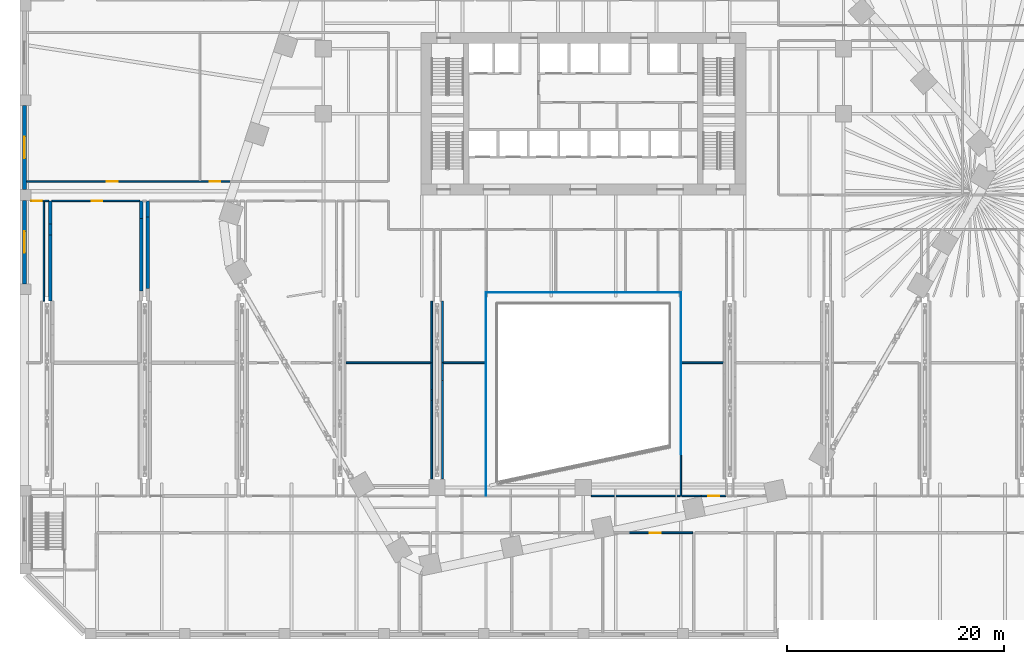
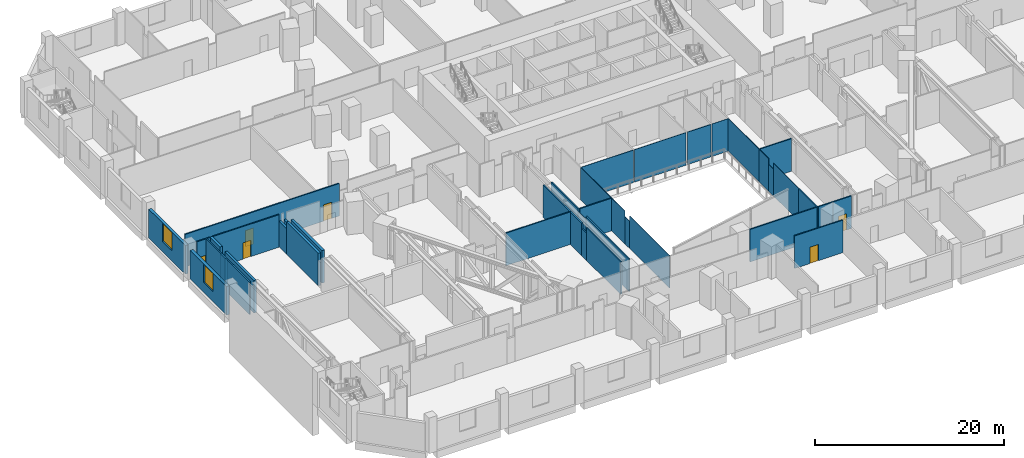
# One storey, part 15 of 32: 41 walls, 6 doors, 2 windows, 8 openings.
"""IFC4 building model written with IfcOpenShell, lengths in metres."""

from ifc_helpers import new_model, si_unit, direction, frame, frame_2d, origin, place, context, subcontext, project, spatial, rectangle, extrude, material, layer, layer_set, type_object, element, fill, save


model = new_model("IFC4")

# Units and contexts
model_context = context("Model", 3, precision=1e-05, world=origin(), true_north=direction((0.0, 1.0)))
body_context = subcontext(model_context, "Body", "Model", "MODEL_VIEW")
ifc_project = project(units=[si_unit("LENGTHUNIT", "METRE"), si_unit("AREAUNIT", "SQUARE_METRE"), si_unit("VOLUMEUNIT", "CUBIC_METRE"), si_unit("PLANEANGLEUNIT", "RADIAN"), si_unit("MASSUNIT", "GRAM", prefix="KILO")], contexts=[model_context])

# Site, building, storey
site_placement = place(None, origin())
site = spatial("IfcSite", under=ifc_project, at=site_placement, CompositionType="ELEMENT")
building_placement = place(site_placement, origin())
building = spatial("IfcBuilding", under=site, at=building_placement, Name="Isthmus Gate Tower", CompositionType="ELEMENT")
storey_placement = place(building_placement, frame((0.0, 0.0, 18.0)))
storey = spatial("IfcBuildingStorey", under=building, at=storey_placement, Name="L02", CompositionType="ELEMENT", Elevation=18.0)

# Walls
ifc_material_1 = material(Name="Double-leaf gypsum board with mineral wool, resilient mounted")
ifc_layer_1 = layer(ifc_material_1, 0.300048828125)
ifc_layer_set_1 = layer_set([ifc_layer_1], Name="Acoustic studio wall 300 double leaf")
wall_type_1 = type_object("IfcWallType", Name="Acoustic studio wall 300 double leaf", PredefinedType="PARTITIONING", material=ifc_layer_set_1)
wall_1_placement = place(storey_placement, frame((-49.199951171875, -9.800048828125, 0.0), z_axis=(0.0, 0.0, 1.0), x_axis=(0.0, 1.0, 0.0)))
element("IfcWall", 1, at=wall_1_placement, inside=storey, type_object=wall_type_1, Name="Acoustic studio wall", PredefinedType="PARTITIONING", context=body_context, shape_type="SweptSolid", body=[
    extrude(rectangle(XDim=6.1201171875, YDim=0.300048828125, at=frame_2d((3.06005859375, 0.0))), origin(), (0.0, 0.0, 1.0), 4.199951171875),
])
wall_2_placement = place(storey_placement, frame((-49.199951171875, -3.679931640625, 0.0), z_axis=(0.0, 0.0, 1.0), x_axis=(0.0, 1.0, 0.0)))
element("IfcWall", 2, at=wall_2_placement, inside=storey, type_object=wall_type_1, Name="Acoustic studio wall", PredefinedType="PARTITIONING", context=body_context, shape_type="SweptSolid", body=[
    extrude(rectangle(XDim=1.0, YDim=0.300048828125, at=frame_2d((0.5, 0.0))), origin(), (0.0, 0.0, 1.0), 3.29833984375),
])
wall_3_placement = place(storey_placement, frame((-49.199951171875, -2.679931640625, 0.0), z_axis=(0.0, 0.0, 1.0), x_axis=(0.0, 1.0, 0.0)))
element("IfcWall", 3, at=wall_3_placement, inside=storey, type_object=wall_type_1, Name="Acoustic studio wall", PredefinedType="PARTITIONING", context=body_context, shape_type="SweptSolid", body=[
    extrude(rectangle(XDim=2.130126953125, YDim=0.300048828125, at=frame_2d((1.06494140625, 0.0))), origin(), (0.0, 0.0, 1.0), 4.199951171875),
])
wall_4_placement = place(storey_placement, frame((-40.800048828125, -8.85498046875, 0.0), z_axis=(0.0, 0.0, 1.0), x_axis=(0.0, 1.0, 0.0)))
element("IfcWall", 4, at=wall_4_placement, inside=storey, type_object=wall_type_1, Name="Acoustic studio wall", PredefinedType="PARTITIONING", context=body_context, shape_type="SweptSolid", body=[
    extrude(rectangle(XDim=6.699462890625, YDim=0.300048828125, at=frame_2d((3.349609375, 0.0))), origin(), (0.0, 0.0, 1.0), 4.199951171875),
])
wall_5_placement = place(storey_placement, frame((-40.800048828125, -2.155517578125, 0.0), z_axis=(0.0, 0.0, 1.0), x_axis=(0.0, 1.0, 0.0)))
element("IfcWall", 5, at=wall_5_placement, inside=storey, type_object=wall_type_1, Name="Acoustic studio wall", PredefinedType="PARTITIONING", context=body_context, shape_type="SweptSolid", body=[
    extrude(rectangle(XDim=1.605712890625, YDim=0.300048828125, at=frame_2d((0.802734375, 0.0))), origin(), (0.0, 0.0, 1.0), 3.29833984375),
])
wall_6_placement = place(storey_placement, frame((-40.199951171875, -8.6298828125, 0.0), z_axis=(0.0, 0.0, 1.0), x_axis=(0.0, 1.0, 0.0)))
element("IfcWall", 6, at=wall_6_placement, inside=storey, type_object=wall_type_1, Name="Acoustic studio wall", PredefinedType="PARTITIONING", context=body_context, shape_type="SweptSolid", body=[
    extrude(rectangle(XDim=6.583251953125, YDim=0.300048828125, at=frame_2d((3.29150390625, 0.0))), origin(), (0.0, 0.0, 1.0), 4.199951171875),
])
wall_7_placement = place(storey_placement, frame((-40.199951171875, -2.046630859375, 0.0), z_axis=(0.0, 0.0, 1.0), x_axis=(0.0, 1.0, 0.0)))
element("IfcWall", 7, at=wall_7_placement, inside=storey, type_object=wall_type_1, Name="Acoustic studio wall", PredefinedType="PARTITIONING", context=body_context, shape_type="SweptSolid", body=[
    extrude(rectangle(XDim=1.496826171875, YDim=0.300048828125, at=frame_2d((0.74853515625, 0.0))), origin(), (0.0, 0.0, 1.0), 3.29833984375),
])
ifc_material_2 = material(Name="Fire-rated laminated glass in steel frame", Category="steel")
ifc_layer_2 = layer(ifc_material_2, 0.06005859375)
ifc_layer_set_2 = layer_set([ifc_layer_2], Name="Fire-rated glazed atrium screen 60")
wall_type_2 = type_object("IfcWallType", Name="Fire-rated glazed atrium screen 60", PredefinedType="PARTITIONING", material=ifc_layer_set_2)
for number, where, z_axis, x_axis, name in (
    (8, (-8.925048828125, -9.0, 0.0), (0.0, 0.0, 1.0), (1.0, 0.0, 0.0), "Atrium screen"),
    (9, (-2.47509765625, -9.0, 0.0), (0.0, 0.0, 1.0), (1.0, 0.0, 0.0), "Atrium screen"),
):
    element("IfcWall", number, at=place(storey_placement, frame(where, z_axis=z_axis, x_axis=x_axis)), inside=storey, type_object=wall_type_2, Name=name, PredefinedType="PARTITIONING", context=body_context, shape_type="SweptSolid", body=[
        extrude(rectangle(XDim=6.300048828125, YDim=0.06005859375, at=frame_2d((3.14990234375, 0.0))), origin(), (0.0, 0.0, 1.0), 4.199951171875),
    ])
wall_8_placement = place(storey_placement, frame((3.97509765625, -9.0, 0.0), z_axis=(0.0, 0.0, 1.0), x_axis=(1.0, 0.0, 0.0)))
element("IfcWall", 10, at=wall_8_placement, inside=storey, type_object=wall_type_2, Name="Atrium screen", PredefinedType="PARTITIONING", context=body_context, shape_type="SweptSolid", body=[
    extrude(rectangle(XDim=2.849853515625, YDim=0.06005859375, at=frame_2d((1.4248046875, 0.0))), origin(), (0.0, 0.0, 1.0), 4.199951171875),
])
wall_9_placement = place(storey_placement, frame((6.97509765625, -9.0, 0.0), z_axis=(0.0, 0.0, 1.0), x_axis=(1.0, 0.0, 0.0)))
element("IfcWall", 11, at=wall_9_placement, inside=storey, type_object=wall_type_2, Name="Atrium screen", PredefinedType="PARTITIONING", context=body_context, shape_type="SweptSolid", body=[
    extrude(rectangle(XDim=1.949951171875, YDim=0.06005859375, at=frame_2d((0.97509765625, 0.0))), origin(), (0.0, 0.0, 1.0), 4.199951171875),
])
wall_10_placement = place(storey_placement, frame((-9.0, -27.778076171875, 0.0), z_axis=(0.0, 0.0, 1.0), x_axis=(0.0, 1.0, 0.0)))
element("IfcWall", 12, at=wall_10_placement, inside=storey, type_object=wall_type_2, Name="Atrium screen", PredefinedType="PARTITIONING", context=body_context, shape_type="SweptSolid", body=[
    extrude(rectangle(XDim=8.440673828125, YDim=0.06005859375, at=frame_2d((4.22021484375, 0.0))), origin(), (0.0, 0.0, 1.0), 4.199951171875),
])
wall_11_placement = place(storey_placement, frame((-9.0, -19.33740234375, 0.0), z_axis=(0.0, 0.0, 1.0), x_axis=(0.0, 1.0, 0.0)))
element("IfcWall", 13, at=wall_11_placement, inside=storey, type_object=wall_type_2, Name="Atrium screen", PredefinedType="PARTITIONING", context=body_context, shape_type="SweptSolid", body=[
    extrude(rectangle(XDim=1.01611328125, YDim=0.06005859375, at=frame_2d((0.508056640625, 0.0))), origin(), (0.0, 0.0, 1.0), 3.5205078125),
])
wall_12_placement = place(storey_placement, frame((-9.0, -18.3212890625, 0.0), z_axis=(0.0, 0.0, 1.0), x_axis=(0.0, 1.0, 0.0)))
element("IfcWall", 14, at=wall_12_placement, inside=storey, type_object=wall_type_2, Name="Atrium screen", PredefinedType="PARTITIONING", context=body_context, shape_type="SweptSolid", body=[
    extrude(rectangle(XDim=2.830810546875, YDim=0.06005859375, at=frame_2d((1.41552734375, 0.0))), origin(), (0.0, 0.0, 1.0), 4.199951171875),
])
wall_13_placement = place(storey_placement, frame((-9.0, -15.488525390625, 0.0), z_axis=(0.0, 0.0, 1.0), x_axis=(0.0, 1.0, 0.0)))
element("IfcWall", 15, at=wall_13_placement, inside=storey, type_object=wall_type_2, Name="Atrium screen", PredefinedType="PARTITIONING", context=body_context, shape_type="SweptSolid", body=[
    extrude(rectangle(XDim=6.487548828125, YDim=0.06005859375, at=frame_2d((3.24365234375, 0.0))), origin(), (0.0, 0.0, 1.0), 4.199951171875),
])
wall_14_placement = place(storey_placement, frame((9.0, -23.952880859375, 0.0), z_axis=(0.0, 0.0, 1.0), x_axis=(0.0, 1.0, 0.0)))
element("IfcWall", 16, at=wall_14_placement, inside=storey, type_object=wall_type_2, Name="Atrium screen", PredefinedType="PARTITIONING", context=body_context, shape_type="SweptSolid", body=[
    extrude(rectangle(XDim=5.427978515625, YDim=0.06005859375, at=frame_2d((2.7138671875, 0.0))), origin(), (0.0, 0.0, 1.0), 4.199951171875),
])
wall_15_placement = place(storey_placement, frame((9.0, -18.52490234375, 0.0), z_axis=(0.0, 0.0, 1.0), x_axis=(0.0, 1.0, 0.0)))
element("IfcWall", 17, at=wall_15_placement, inside=storey, type_object=wall_type_2, Name="Atrium screen", PredefinedType="PARTITIONING", context=body_context, shape_type="SweptSolid", body=[
    extrude(rectangle(XDim=1.0, YDim=0.06005859375, at=frame_2d((0.5, 0.0))), origin(), (0.0, 0.0, 1.0), 3.45068359375),
])
wall_16_placement = place(storey_placement, frame((9.0, -17.52490234375, 0.0), z_axis=(0.0, 0.0, 1.0), x_axis=(0.0, 1.0, 0.0)))
element("IfcWall", 18, at=wall_16_placement, inside=storey, type_object=wall_type_2, Name="Atrium screen", PredefinedType="PARTITIONING", context=body_context, shape_type="SweptSolid", body=[
    extrude(rectangle(XDim=2.034423828125, YDim=0.06005859375, at=frame_2d((1.01708984375, 0.0))), origin(), (0.0, 0.0, 1.0), 4.199951171875),
])
wall_17_placement = place(storey_placement, frame((9.0, -15.488525390625, 0.0), z_axis=(0.0, 0.0, 1.0), x_axis=(0.0, 1.0, 0.0)))
element("IfcWall", 19, at=wall_17_placement, inside=storey, type_object=wall_type_2, Name="Atrium screen", PredefinedType="PARTITIONING", context=body_context, shape_type="SweptSolid", body=[
    extrude(rectangle(XDim=6.487548828125, YDim=0.06005859375, at=frame_2d((3.24365234375, 0.0))), origin(), (0.0, 0.0, 1.0), 4.199951171875),
])

# Wall, opening, window
ifc_material_3 = material(Name="Precast concrete C40/50, limestone-faced", Category="masonry")
ifc_layer_3 = layer(ifc_material_3, 0.35009765625)
ifc_layer_set_3 = layer_set([ifc_layer_3], Name="PODIUM CLADDING WALL 350")
wall_type_3 = type_object("IfcWallType", Name="PODIUM CLADDING WALL 350", PredefinedType="SOLIDWALL", material=ifc_layer_set_3)
wall_18_placement = place(storey_placement, frame((-51.574951171875, 8.25, -0.39990234375), z_axis=(0.0, 0.0, 1.0), x_axis=(0.0, -1.0, 0.0)))
wall_18 = element("IfcWall", 20, at=wall_18_placement, inside=storey, type_object=wall_type_3, Name="PODIUM WALL", PredefinedType="SOLIDWALL", context=body_context, shape_type="SweptSolid", body=[
    extrude(rectangle(XDim=7.75, YDim=0.35009765625, at=frame_2d((3.875, 0.0))), origin(), (0.0, 0.0, 1.0), 3.699951171875),
])
opening_1_placement = place(wall_18_placement, frame((2.875, 0.0, 1.300048828125)))
opening_1 = element("IfcOpeningElement", 21, at=opening_1_placement, cuts=wall_18, Name="Opening W030", PredefinedType="OPENING", context=body_context, shape_type="SweptSolid", body=[
    extrude(rectangle(XDim=2.0, YDim=2.35009765625, at=frame_2d((1.0, 1.175048828125))), frame((0.0, 0.18505859375, 0.0), z_axis=(0.0, -1.0, 0.0), x_axis=(1.0, 0.0, 0.0)), (0.0, 0.0, 1.0), 0.3701171875),
])
ifc_material_4 = material(Name="Aluminium, pale champagne anodised, laminated glass", Category="aluminium")
window_type = type_object("IfcWindowType", Name="PODIUM SLOT WINDOW 2000 X 2350", PartitioningType="SINGLE_PANEL", PredefinedType="WINDOW", material=ifc_material_4)
window_1_placement = place(opening_1_placement, origin())
window_1 = element("IfcWindow", 22, at=window_1_placement, inside=storey, type_object=window_type, Name="SLOT WINDOW", OverallHeight=2.35009765625, OverallWidth=2.0, PartitioningType="SINGLE_PANEL", PredefinedType="WINDOW", context=body_context, shape_type="SweptSolid", body=[
    extrude(rectangle(XDim=2.0, YDim=2.35009765625, at=frame_2d((1.0, 1.175048828125))), frame((0.0, 0.030029296875, 0.0), z_axis=(0.0, -1.0, 0.0), x_axis=(1.0, 0.0, 0.0)), (0.0, 0.0, 1.0), 0.06005859375),
])
fill(opening_1, window_1)

wall_19_placement = place(storey_placement, frame((-51.574951171875, -0.5, -0.39990234375), z_axis=(0.0, 0.0, 1.0), x_axis=(0.0, -1.0, 0.0)))
wall_19 = element("IfcWall", 23, at=wall_19_placement, inside=storey, type_object=wall_type_3, Name="PODIUM WALL", PredefinedType="SOLIDWALL", context=body_context, shape_type="SweptSolid", body=[
    extrude(rectangle(XDim=7.699951171875, YDim=0.35009765625, at=frame_2d((3.85009765625, 0.0))), origin(), (0.0, 0.0, 1.0), 3.699951171875),
])
opening_2_placement = place(wall_19_placement, frame((2.85009765625, 0.0, 1.300048828125)))
opening_2 = element("IfcOpeningElement", 24, at=opening_2_placement, cuts=wall_19, Name="Opening W031", PredefinedType="OPENING", context=body_context, shape_type="SweptSolid", body=[
    extrude(rectangle(XDim=2.0, YDim=2.35009765625, at=frame_2d((1.0, 1.175048828125))), frame((0.0, 0.18505859375, 0.0), z_axis=(0.0, -1.0, 0.0), x_axis=(1.0, 0.0, 0.0)), (0.0, 0.0, 1.0), 0.3701171875),
])
window_2_placement = place(opening_2_placement, origin())
window_2 = element("IfcWindow", 25, at=window_2_placement, inside=storey, type_object=window_type, Name="SLOT WINDOW", OverallHeight=2.35009765625, OverallWidth=2.0, PartitioningType="SINGLE_PANEL", PredefinedType="WINDOW", context=body_context, shape_type="SweptSolid", body=[
    extrude(rectangle(XDim=2.0, YDim=2.35009765625, at=frame_2d((1.0, 1.175048828125))), frame((0.0, 0.030029296875, 0.0), z_axis=(0.0, -1.0, 0.0), x_axis=(1.0, 0.0, 0.0)), (0.0, 0.0, 1.0), 0.06005859375),
])
fill(opening_2, window_2)

# Wall, opening, door
ifc_material_5 = material(Name="Gypsum board on cold-formed steel studs", Category="steel")
ifc_layer_4 = layer(ifc_material_5, 0.14990234375)
ifc_layer_set_4 = layer_set([ifc_layer_4])
wall_type_4 = type_object("IfcWallType", Name="Partition 150 gypsum board on steel studs", PredefinedType="PARTITIONING", material=ifc_layer_set_4)
wall_20_placement = place(storey_placement, frame((4.22314453125, -31.178955078125, 0.0), z_axis=(0.0, 0.0, 1.0), x_axis=(1.0, 0.0, 0.0)))
wall_20 = element("IfcWall", 26, at=wall_20_placement, inside=storey, type_object=wall_type_4, Name="Partition", PredefinedType="PARTITIONING", context=body_context, shape_type="SweptSolid", body=[
    extrude(rectangle(XDim=5.868896484375, YDim=0.14990234375, at=frame_2d((2.9345703125, 0.0))), origin(), (0.0, 0.0, 1.0), 4.199951171875),
])
opening_3_placement = place(wall_20_placement, frame((1.89990234375, 0.0, 0.0)))
opening_3 = element("IfcOpeningElement", 27, at=opening_3_placement, cuts=wall_20, Name="Opening DP02-55", PredefinedType="OPENING", context=body_context, shape_type="SweptSolid", body=[
    extrude(rectangle(XDim=1.0, YDim=2.10009765625, at=frame_2d((0.5, 1.050048828125))), frame((0.0, 0.0849609375, 0.0), z_axis=(0.0, -1.0, 0.0), x_axis=(1.0, 0.0, 0.0)), (0.0, 0.0, 1.0), 0.169921875),
])
ifc_material_6 = material(Name="Hollow metal frame with solid-core timber leaf", Category="wood")
door_type = type_object("IfcDoorType", Name="Single swing door 1000 x 2100", OperationType="SINGLE_SWING_LEFT", PredefinedType="DOOR", material=ifc_material_6)
door_1_placement = place(opening_3_placement, origin())
door_1 = element("IfcDoor", 28, at=door_1_placement, inside=storey, type_object=door_type, Name="Door DP02-55", OperationType="SINGLE_SWING_LEFT", OverallHeight=2.10009765625, OverallWidth=1.0, PredefinedType="DOOR", context=body_context, shape_type="SweptSolid", body=[
    extrude(rectangle(XDim=1.0, YDim=2.10009765625, at=frame_2d((0.5, 1.050048828125))), frame((0.0, 0.02490234375, 0.0), z_axis=(0.0, -1.0, 0.0), x_axis=(1.0, 0.0, 0.0)), (0.0, 0.0, 1.0), 0.050048828125),
])
fill(opening_3, door_1)

# Walls
wall_21_placement = place(storey_placement, frame((0.75, -27.779052734375, 0.0), z_axis=(0.0, 0.0, 1.0), x_axis=(1.0, 0.0, 0.0)))
element("IfcWall", 29, at=wall_21_placement, inside=storey, type_object=wall_type_4, Name="Partition", PredefinedType="PARTITIONING", context=body_context, shape_type="SweptSolid", body=[
    extrude(rectangle(XDim=8.175048828125, YDim=0.14990234375, at=frame_2d((4.08740234375, 0.0))), origin(), (0.0, 0.0, 1.0), 4.199951171875),
])
wall_22_placement = place(storey_placement, frame((9.074951171875, -27.779052734375, 0.0), z_axis=(0.0, 0.0, 1.0), x_axis=(1.0, 0.0, 0.0)))
element("IfcWall", 30, at=wall_22_placement, inside=storey, type_object=wall_type_4, Name="Partition", PredefinedType="PARTITIONING", context=body_context, shape_type="SweptSolid", body=[
    extrude(rectangle(XDim=1.77294921875, YDim=0.14990234375, at=frame_2d((0.886474609375, 0.0))), origin(), (0.0, 0.0, 1.0), 4.199951171875),
])

# Wall, opening, door
wall_23_placement = place(storey_placement, frame((10.88720703125, -27.779052734375, 0.0), z_axis=(0.0, 0.0, 1.0), x_axis=(1.0, 0.0, 0.0)))
wall_23 = element("IfcWall", 31, at=wall_23_placement, inside=storey, type_object=wall_type_4, Name="Partition", PredefinedType="PARTITIONING", context=body_context, shape_type="SweptSolid", body=[
    extrude(rectangle(XDim=2.23779296875, YDim=0.14990234375, at=frame_2d((1.118896484375, 0.0))), origin(), (0.0, 0.0, 1.0), 4.199951171875),
])
opening_4_placement = place(wall_23_placement, frame((0.64990234375, 0.0, 0.0)))
opening_4 = element("IfcOpeningElement", 32, at=opening_4_placement, cuts=wall_23, Name="Opening DP02-31", PredefinedType="OPENING", context=body_context, shape_type="SweptSolid", body=[
    extrude(rectangle(XDim=1.0, YDim=2.10009765625, at=frame_2d((0.5, 1.050048828125))), frame((0.0, 0.0849609375, 0.0), z_axis=(0.0, -1.0, 0.0), x_axis=(1.0, 0.0, 0.0)), (0.0, 0.0, 1.0), 0.169921875),
])
door_2_placement = place(opening_4_placement, origin())
door_2 = element("IfcDoor", 33, at=door_2_placement, inside=storey, type_object=door_type, Name="Door DP02-31", OperationType="SINGLE_SWING_LEFT", OverallHeight=2.10009765625, OverallWidth=1.0, PredefinedType="DOOR", context=body_context, shape_type="SweptSolid", body=[
    extrude(rectangle(XDim=1.0, YDim=2.10009765625, at=frame_2d((0.5, 1.050048828125))), frame((0.0, 0.02490234375, 0.0), z_axis=(0.0, -1.0, 0.0), x_axis=(1.0, 0.0, 0.0)), (0.0, 0.0, 1.0), 0.050048828125),
])
fill(opening_4, door_2)

# Walls
wall_24_placement = place(storey_placement, frame((-21.925048828125, -15.489013671875, 0.0), z_axis=(0.0, 0.0, 1.0), x_axis=(1.0, 0.0, 0.0)))
element("IfcWall", 34, at=wall_24_placement, inside=storey, type_object=wall_type_4, Name="Partition", PredefinedType="PARTITIONING", context=body_context, shape_type="SweptSolid", body=[
    extrude(rectangle(XDim=7.85009765625, YDim=0.14990234375, at=frame_2d((3.925048828125, 0.0))), origin(), (0.0, 0.0, 1.0), 4.199951171875),
])
for number, where, z_axis, x_axis, name in (
    (35, (-12.925048828125, -15.489013671875, 0.0), (0.0, 0.0, 1.0), (1.0, 0.0, 0.0), "Partition"),
    (36, (9.030029296875, -15.489013671875, 0.0), (0.0, 0.0, 1.0), (1.0, 0.0, 0.0), "Partition"),
):
    element("IfcWall", number, at=place(storey_placement, frame(where, z_axis=z_axis, x_axis=x_axis)), inside=storey, type_object=wall_type_4, Name=name, PredefinedType="PARTITIONING", context=body_context, shape_type="SweptSolid", body=[
        extrude(rectangle(XDim=3.89501953125, YDim=0.14990234375, at=frame_2d((1.947509765625, 0.0))), origin(), (0.0, 0.0, 1.0), 4.199951171875),
    ])

# Wall, opening, door
wall_25_placement = place(storey_placement, frame((-51.0, -0.549072265625, 0.0), z_axis=(0.0, 0.0, 1.0), x_axis=(1.0, 0.0, 0.0)))
wall_25 = element("IfcWall", 37, at=wall_25_placement, inside=storey, type_object=wall_type_4, Name="Partition", PredefinedType="PARTITIONING", context=body_context, shape_type="SweptSolid", body=[
    extrude(rectangle(XDim=1.125, YDim=0.14990234375, at=frame_2d((0.5625, 0.0))), origin(), (0.0, 0.0, 1.0), 4.199951171875),
])
opening_5_placement = place(wall_25_placement, frame((0.06005859375, 0.0, 0.0)))
opening_5 = element("IfcOpeningElement", 38, at=opening_5_placement, cuts=wall_25, Name="Opening DP02-12", PredefinedType="OPENING", context=body_context, shape_type="SweptSolid", body=[
    extrude(rectangle(XDim=1.0, YDim=2.10009765625, at=frame_2d((0.5, 1.050048828125))), frame((0.0, 0.0849609375, 0.0), z_axis=(0.0, -1.0, 0.0), x_axis=(1.0, 0.0, 0.0)), (0.0, 0.0, 1.0), 0.169921875),
])
door_3_placement = place(opening_5_placement, origin())
door_3 = element("IfcDoor", 39, at=door_3_placement, inside=storey, type_object=door_type, Name="Door DP02-12", OperationType="SINGLE_SWING_LEFT", OverallHeight=2.10009765625, OverallWidth=1.0, PredefinedType="DOOR", context=body_context, shape_type="SweptSolid", body=[
    extrude(rectangle(XDim=1.0, YDim=2.10009765625, at=frame_2d((0.5, 1.050048828125))), frame((0.0, 0.02490234375, 0.0), z_axis=(0.0, -1.0, 0.0), x_axis=(1.0, 0.0, 0.0)), (0.0, 0.0, 1.0), 0.050048828125),
])
fill(opening_5, door_3)

# Wall
wall_26_placement = place(storey_placement, frame((-49.72509765625, -0.549072265625, 0.0), z_axis=(0.0, 0.0, 1.0), x_axis=(1.0, 0.0, 0.0)))
element("IfcWall", 40, at=wall_26_placement, inside=storey, type_object=wall_type_4, Name="Partition", PredefinedType="PARTITIONING", context=body_context, shape_type="SweptSolid", body=[
    extrude(rectangle(XDim=0.375, YDim=0.14990234375, at=frame_2d((0.1875, 0.0))), origin(), (0.0, 0.0, 1.0), 4.199951171875),
])

# Wall, opening, door
wall_27_placement = place(storey_placement, frame((-49.050048828125, -0.549072265625, 0.0), z_axis=(0.0, 0.0, 1.0), x_axis=(1.0, 0.0, 0.0)))
wall_27 = element("IfcWall", 41, at=wall_27_placement, inside=storey, type_object=wall_type_4, Name="Partition", PredefinedType="PARTITIONING", context=body_context, shape_type="SweptSolid", body=[
    extrude(rectangle(XDim=8.10009765625, YDim=0.14990234375, at=frame_2d((4.050048828125, 0.0))), origin(), (0.0, 0.0, 1.0), 4.199951171875),
])
opening_6_placement = place(wall_27_placement, frame((3.64990234375, 0.0, 0.0)))
opening_6 = element("IfcOpeningElement", 42, at=opening_6_placement, cuts=wall_27, Name="Opening DP02-13", PredefinedType="OPENING", context=body_context, shape_type="SweptSolid", body=[
    extrude(rectangle(XDim=1.0, YDim=2.10009765625, at=frame_2d((0.5, 1.050048828125))), frame((0.0, 0.0849609375, 0.0), z_axis=(0.0, -1.0, 0.0), x_axis=(1.0, 0.0, 0.0)), (0.0, 0.0, 1.0), 0.169921875),
])
door_4_placement = place(opening_6_placement, origin())
door_4 = element("IfcDoor", 43, at=door_4_placement, inside=storey, type_object=door_type, Name="Door DP02-13", OperationType="SINGLE_SWING_LEFT", OverallHeight=2.10009765625, OverallWidth=1.0, PredefinedType="DOOR", context=body_context, shape_type="SweptSolid", body=[
    extrude(rectangle(XDim=1.0, YDim=2.10009765625, at=frame_2d((0.5, 1.050048828125))), frame((0.0, 0.02490234375, 0.0), z_axis=(0.0, -1.0, 0.0), x_axis=(1.0, 0.0, 0.0)), (0.0, 0.0, 1.0), 0.050048828125),
])
fill(opening_6, door_4)

# Wall, openings, doors
wall_28_placement = place(storey_placement, frame((-51.39990234375, 1.2509765625, 0.0), z_axis=(0.0, 0.0, 1.0), x_axis=(1.0, 0.0, 0.0)))
wall_28 = element("IfcWall", 44, at=wall_28_placement, inside=storey, type_object=wall_type_4, Name="Partition", PredefinedType="PARTITIONING", context=body_context, shape_type="SweptSolid", body=[
    extrude(rectangle(XDim=18.8154296875, YDim=0.14990234375, at=frame_2d((9.40771484375, 0.0))), origin(), (0.0, 0.0, 1.0), 4.199951171875),
])
opening_7_placement = place(wall_28_placement, frame((7.39990234375, 0.0, 0.0)))
opening_7 = element("IfcOpeningElement", 45, at=opening_7_placement, cuts=wall_28, Name="Opening DP02-47", PredefinedType="OPENING", context=body_context, shape_type="SweptSolid", body=[
    extrude(rectangle(XDim=1.0, YDim=2.10009765625, at=frame_2d((0.5, 1.050048828125))), frame((0.0, 0.0849609375, 0.0), z_axis=(0.0, -1.0, 0.0), x_axis=(1.0, 0.0, 0.0)), (0.0, 0.0, 1.0), 0.169921875),
])
opening_8_placement = place(wall_28_placement, frame((16.89990234375, 0.0, 0.0)))
opening_8 = element("IfcOpeningElement", 46, at=opening_8_placement, cuts=wall_28, Name="Opening DP02-48", PredefinedType="OPENING", context=body_context, shape_type="SweptSolid", body=[
    extrude(rectangle(XDim=1.0, YDim=2.10009765625, at=frame_2d((0.5, 1.050048828125))), frame((0.0, 0.0849609375, 0.0), z_axis=(0.0, -1.0, 0.0), x_axis=(1.0, 0.0, 0.0)), (0.0, 0.0, 1.0), 0.169921875),
])
door_5_placement = place(opening_7_placement, origin())
door_5 = element("IfcDoor", 47, at=door_5_placement, inside=storey, type_object=door_type, Name="Door DP02-47", OperationType="SINGLE_SWING_LEFT", OverallHeight=2.10009765625, OverallWidth=1.0, PredefinedType="DOOR", context=body_context, shape_type="SweptSolid", body=[
    extrude(rectangle(XDim=1.0, YDim=2.10009765625, at=frame_2d((0.5, 1.050048828125))), frame((0.0, 0.02490234375, 0.0), z_axis=(0.0, -1.0, 0.0), x_axis=(1.0, 0.0, 0.0)), (0.0, 0.0, 1.0), 0.050048828125),
])
fill(opening_7, door_5)
door_6_placement = place(opening_8_placement, origin())
door_6 = element("IfcDoor", 48, at=door_6_placement, inside=storey, type_object=door_type, Name="Door DP02-48", OperationType="SINGLE_SWING_LEFT", OverallHeight=2.10009765625, OverallWidth=1.0, PredefinedType="DOOR", context=body_context, shape_type="SweptSolid", body=[
    extrude(rectangle(XDim=1.0, YDim=2.10009765625, at=frame_2d((0.5, 1.050048828125))), frame((0.0, 0.02490234375, 0.0), z_axis=(0.0, -1.0, 0.0), x_axis=(1.0, 0.0, 0.0)), (0.0, 0.0, 1.0), 0.050048828125),
])
fill(opening_8, door_6)

# Walls
wall_29_placement = place(storey_placement, frame((-49.800048828125, -9.800048828125, 0.0), z_axis=(0.0, 0.0, 1.0), x_axis=(0.0, 1.0, 0.0)))
element("IfcWall", 49, at=wall_29_placement, inside=storey, type_object=wall_type_4, Name="Partition", PredefinedType="PARTITIONING", context=body_context, shape_type="SweptSolid", body=[
    extrude(rectangle(XDim=9.250244140625, YDim=0.14990234375, at=frame_2d((4.625, 0.0))), origin(), (0.0, 0.0, 1.0), 4.199951171875),
])
wall_30_placement = place(storey_placement, frame((-14.0, -26.199951171875, 0.0), z_axis=(0.0, 0.0, 1.0), x_axis=(0.0, 1.0, 0.0)))
element("IfcWall", 50, at=wall_30_placement, inside=storey, type_object=wall_type_4, Name="Partition", PredefinedType="PARTITIONING", context=body_context, shape_type="SweptSolid", body=[
    extrude(rectangle(XDim=7.2392578125, YDim=0.14990234375, at=frame_2d((3.61962890625, 0.0))), origin(), (0.0, 0.0, 1.0), 4.199951171875),
])
wall_31_placement = place(storey_placement, frame((-14.0, -18.960693359375, 0.0), z_axis=(0.0, 0.0, 1.0), x_axis=(0.0, 1.0, 0.0)))
element("IfcWall", 51, at=wall_31_placement, inside=storey, type_object=wall_type_4, Name="Partition", PredefinedType="PARTITIONING", context=body_context, shape_type="SweptSolid", body=[
    extrude(rectangle(XDim=1.0, YDim=0.14990234375, at=frame_2d((0.5, 0.0))), origin(), (0.0, 0.0, 1.0), 3.5205078125),
])
wall_32_placement = place(storey_placement, frame((-14.0, -17.960693359375, 0.0), z_axis=(0.0, 0.0, 1.0), x_axis=(0.0, 1.0, 0.0)))
element("IfcWall", 52, at=wall_32_placement, inside=storey, type_object=wall_type_4, Name="Partition", PredefinedType="PARTITIONING", context=body_context, shape_type="SweptSolid", body=[
    extrude(rectangle(XDim=2.47021484375, YDim=0.14990234375, at=frame_2d((1.235107421875, 0.0))), origin(), (0.0, 0.0, 1.0), 4.199951171875),
])
wall_33_placement = place(storey_placement, frame((-14.0, -15.488525390625, 0.0), z_axis=(0.0, 0.0, 1.0), x_axis=(0.0, 1.0, 0.0)))
element("IfcWall", 53, at=wall_33_placement, inside=storey, type_object=wall_type_4, Name="Partition", PredefinedType="PARTITIONING", context=body_context, shape_type="SweptSolid", body=[
    extrude(rectangle(XDim=5.6884765625, YDim=0.14990234375, at=frame_2d((2.84423828125, 0.0))), origin(), (0.0, 0.0, 1.0), 4.199951171875),
])
wall_34_placement = place(storey_placement, frame((-13.0, -26.199951171875, 0.0), z_axis=(0.0, 0.0, 1.0), x_axis=(0.0, 1.0, 0.0)))
element("IfcWall", 54, at=wall_34_placement, inside=storey, type_object=wall_type_4, Name="Partition", PredefinedType="PARTITIONING", context=body_context, shape_type="SweptSolid", body=[
    extrude(rectangle(XDim=9.09765625, YDim=0.14990234375, at=frame_2d((4.548828125, 0.0))), origin(), (0.0, 0.0, 1.0), 4.199951171875),
])
wall_35_placement = place(storey_placement, frame((-13.0, -17.102294921875, 0.0), z_axis=(0.0, 0.0, 1.0), x_axis=(0.0, 1.0, 0.0)))
element("IfcWall", 55, at=wall_35_placement, inside=storey, type_object=wall_type_4, Name="Partition", PredefinedType="PARTITIONING", context=body_context, shape_type="SweptSolid", body=[
    extrude(rectangle(XDim=1.61181640625, YDim=0.14990234375, at=frame_2d((0.805908203125, 0.0))), origin(), (0.0, 0.0, 1.0), 3.749267578125),
])
wall_36_placement = place(storey_placement, frame((-13.0, -15.488525390625, 0.0), z_axis=(0.0, 0.0, 1.0), x_axis=(0.0, 1.0, 0.0)))
element("IfcWall", 56, at=wall_36_placement, inside=storey, type_object=wall_type_4, Name="Partition", PredefinedType="PARTITIONING", context=body_context, shape_type="SweptSolid", body=[
    extrude(rectangle(XDim=5.6884765625, YDim=0.14990234375, at=frame_2d((2.84423828125, 0.0))), origin(), (0.0, 0.0, 1.0), 4.199951171875),
])
wall_37_placement = place(storey_placement, frame((9.0, -27.778076171875, 0.0), z_axis=(0.0, 0.0, 1.0), x_axis=(0.0, 1.0, 0.0)))
element("IfcWall", 57, at=wall_37_placement, inside=storey, type_object=wall_type_4, Name="Partition", PredefinedType="PARTITIONING", context=body_context, shape_type="SweptSolid", body=[
    extrude(rectangle(XDim=3.8251953125, YDim=0.14990234375, at=frame_2d((1.91259765625, 0.0))), origin(), (0.0, 0.0, 1.0), 4.199951171875),
])

save(model, "model.ifc")
